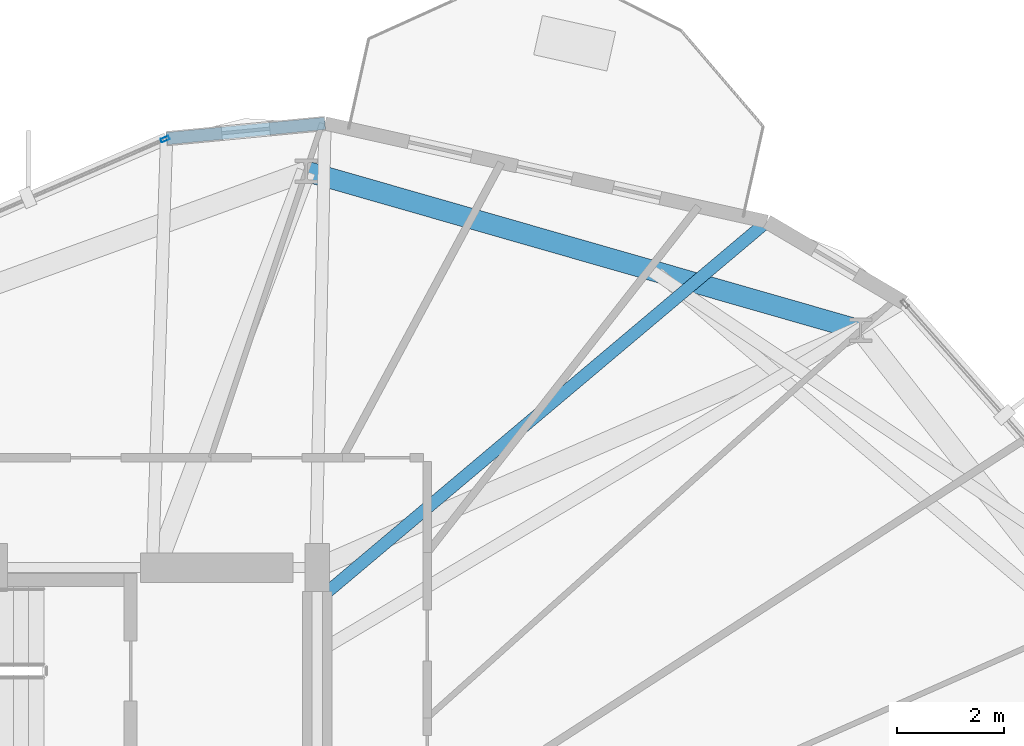
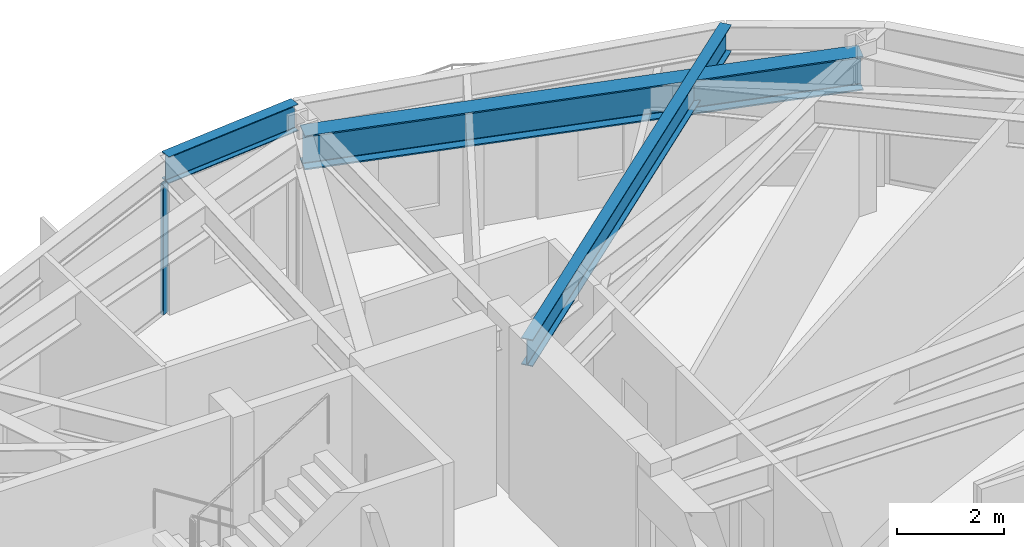
# One storey, part 15 of 23: 3 beams, 1 member, 1 element without a shape of its own.
"""IFC4 building model written with IfcOpenShell, lengths in metres."""

from ifc_helpers import new_model, si_unit, direction, frame, origin, origin_2d, place, context, subcontext, project, spatial, hollow_rectangle, i_section, extrude, material, layer, layer_set, material_profile, profile_set, type_object, element, aggregate, save


model = new_model("IFC4")

# Units and contexts
model_context = context("Model", 3, precision=1e-05, world=origin(), true_north=direction((0.0, 1.0)))
body_context = subcontext(model_context, "Body", "Model", "MODEL_VIEW")
ifc_project = project(units=[si_unit("LENGTHUNIT", "METRE"), si_unit("AREAUNIT", "SQUARE_METRE"), si_unit("VOLUMEUNIT", "CUBIC_METRE"), si_unit("PLANEANGLEUNIT", "RADIAN"), si_unit("MASSUNIT", "GRAM", prefix="KILO")], contexts=[model_context])

# Site, building, storey
site_placement = place(None, origin())
site = spatial("IfcSite", under=ifc_project, at=site_placement, CompositionType="ELEMENT")
building_placement = place(site_placement, origin())
building = spatial("IfcBuilding", under=site, at=building_placement, Name="Soratama Intermodal Tower", CompositionType="ELEMENT")
storey_placement = place(building_placement, frame((0.0, 0.0, 118.60009765625)))
storey = spatial("IfcBuildingStorey", under=building, at=storey_placement, Name="L28", CompositionType="ELEMENT", Elevation=118.60009765625)

# Beams
ifc_material_1 = material(Name="Structural steel ASTM A992 Grade 50", Category="steel")
ifc_material_profile_1 = material_profile(ifc_material_1, i_section(OverallWidth=0.382080078125, OverallDepth=0.779052734375, WebThickness=0.01806640625, FlangeThickness=0.030029296875, FilletRadius=0.01806640625, at=origin_2d()), Name="W30X191")
ifc_profile_set_1 = profile_set([ifc_material_profile_1], Name="Structural steel ASTM A992 Grade 50")
beam_type_1 = type_object("IfcBeamType", Name="BM-RING-W30X191", PredefinedType="BEAM", material=ifc_profile_set_1)
beam_1_placement = place(storey_placement, frame((54.72998046875, 39.425048828125, 3.21044921875), z_axis=(-0.961266505995, 0.275620580604, 0.0), x_axis=(-0.275620580604, -0.961266505995, 0.0)))
element("IfcBeam", 1, at=beam_1_placement, inside=storey, type_object=beam_type_1, Name="BM-L28-RING-02", PredefinedType="BEAM", context=body_context, shape_type="SweptSolid", body=[
    extrude(i_section(OverallWidth=0.382080078125, OverallDepth=0.779052734375, WebThickness=0.01806640625, FlangeThickness=0.030029296875, FilletRadius=0.01806640625, at=origin_2d()), origin(), (0.0, 0.0, 1.0), 10.75341796875),
])
ifc_material_2 = material(Name="Structural steel ASTM A992 Grade 50", Category="steel")
ifc_material_profile_2 = material_profile(ifc_material_2, i_section(OverallWidth=0.22900390625, OverallDepth=0.612060546875, WebThickness=0.011962890625, FlangeThickness=0.01953125, FilletRadius=0.012939453125, at=origin_2d()), Name="W24X84")
ifc_profile_set_2 = profile_set([ifc_material_profile_2], Name="Structural steel ASTM A992 Grade 50")
beam_type_2 = type_object("IfcBeamType", Name="BM-SPN-W24X84", PredefinedType="SPANDREL", material=ifc_profile_set_2)
beam_2_placement = place(storey_placement, frame((44.742919921875, 43.281982421875, 3.2939453125), z_axis=(-0.995443183857, -0.095356529473, 0.0), x_axis=(0.095356529473, -0.995443183857, 0.0)))
element("IfcBeam", 2, at=beam_2_placement, inside=storey, type_object=beam_type_2, Name="BS-L28-CRN02", PredefinedType="SPANDREL", context=body_context, shape_type="SweptSolid", body=[
    extrude(i_section(OverallWidth=0.22900390625, OverallDepth=0.612060546875, WebThickness=0.011962890625, FlangeThickness=0.01953125, FilletRadius=0.012939453125, at=origin_2d()), origin(), (0.0, 0.0, 1.0), 2.96728515625),
])
ifc_material_3 = material(Name="Structural steel ASTM A992 Grade 50", Category="steel")
ifc_material_profile_3 = material_profile(ifc_material_3, i_section(OverallWidth=0.22900390625, OverallDepth=0.612060546875, WebThickness=0.011962890625, FlangeThickness=0.01953125, FilletRadius=0.012939453125, at=origin_2d()), Name="W24X84")
ifc_profile_set_3 = profile_set([ifc_material_profile_3], Name="Structural steel ASTM A992 Grade 50")
beam_type_3 = type_object("IfcBeamType", Name="BM-TIE-W24X84", PredefinedType="BEAM", material=ifc_profile_set_3)
beam_3_placement = place(storey_placement, frame((44.631103515625, 34.4130859375, 3.2939453125), z_axis=(0.764785379731, 0.644285125507, 0.0), x_axis=(-0.644285125507, 0.764785379731, 0.0)))
element("IfcBeam", 3, at=beam_3_placement, inside=storey, type_object=beam_type_3, Name="BM-L28-TIE0-02", PredefinedType="BEAM", context=body_context, shape_type="SweptSolid", body=[
    extrude(i_section(OverallWidth=0.22900390625, OverallDepth=0.612060546875, WebThickness=0.011962890625, FlangeThickness=0.01953125, FilletRadius=0.012939453125, at=origin_2d()), origin(), (0.0, 0.0, 1.0), 10.92041015625),
])

# Curtain wall, member
ifc_material_4 = material(Name="Double-glazed aluminium curtain wall", Category="aluminium")
ifc_layer = layer(ifc_material_4, 0.159912109375)
ifc_layer_set = layer_set([ifc_layer], Name="Double-glazed aluminium curtain wall")
curtain_wall_type = type_object("IfcCurtainWallType", Name="CW-SYS-3", PredefinedType="NOTDEFINED", material=ifc_layer_set)
curtain_wall_placement = place(storey_placement, origin())
curtain_wall = element("IfcCurtainWall", 4, at=curtain_wall_placement, inside=storey, type_object=curtain_wall_type, Name="L28 Faceted Curtain Wall F03", PredefinedType="NOTDEFINED")
ifc_material_5 = material(Name="Anodised aluminium AA 6063-T6", Category="aluminium")
ifc_material_profile_4 = material_profile(ifc_material_5, hollow_rectangle(XDim=0.070068359375, YDim=0.159912109375, WallThickness=0.0048828125, InnerFilletRadius=0.0048828125, OuterFilletRadius=0.010009765625, at=origin_2d()), Name="CWM160X70X5")
ifc_profile_set_4 = profile_set([ifc_material_profile_4], Name="Anodised aluminium AA 6063-T6")
member_type = type_object("IfcMemberType", Name="MT-CWM-3", PredefinedType="MULLION", material=ifc_profile_set_4)
member_placement = place(storey_placement, frame((41.761962890625, 42.987548828125, 0.0), z_axis=(0.0, 0.0, 1.0), x_axis=(0.398104403825, -0.917340113401, 0.0)))
member = element("IfcMember", 5, at=member_placement, type_object=member_type, Name="CW-3 mullion 1", PredefinedType="MULLION", context=body_context, shape_type="SweptSolid", body=[
    extrude(hollow_rectangle(XDim=0.070068359375, YDim=0.159912109375, WallThickness=0.0048828125, InnerFilletRadius=0.0048828125, OuterFilletRadius=0.010009765625, at=origin_2d()), origin(), (0.0, 0.0, 1.0), 2.97900390625),
])
aggregate(curtain_wall, [member])

save(model, "model.ifc")
